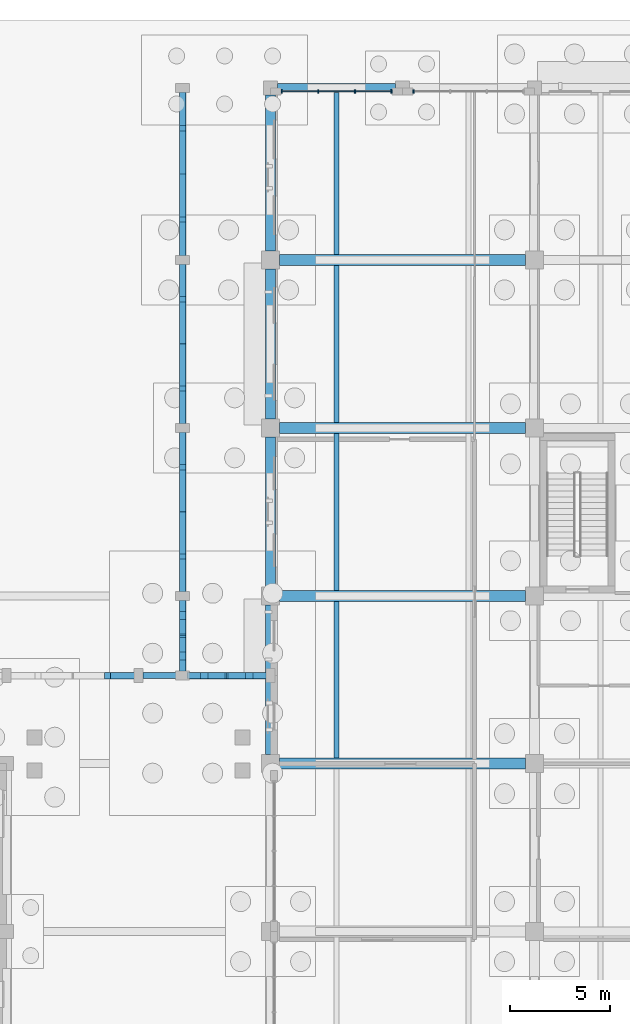
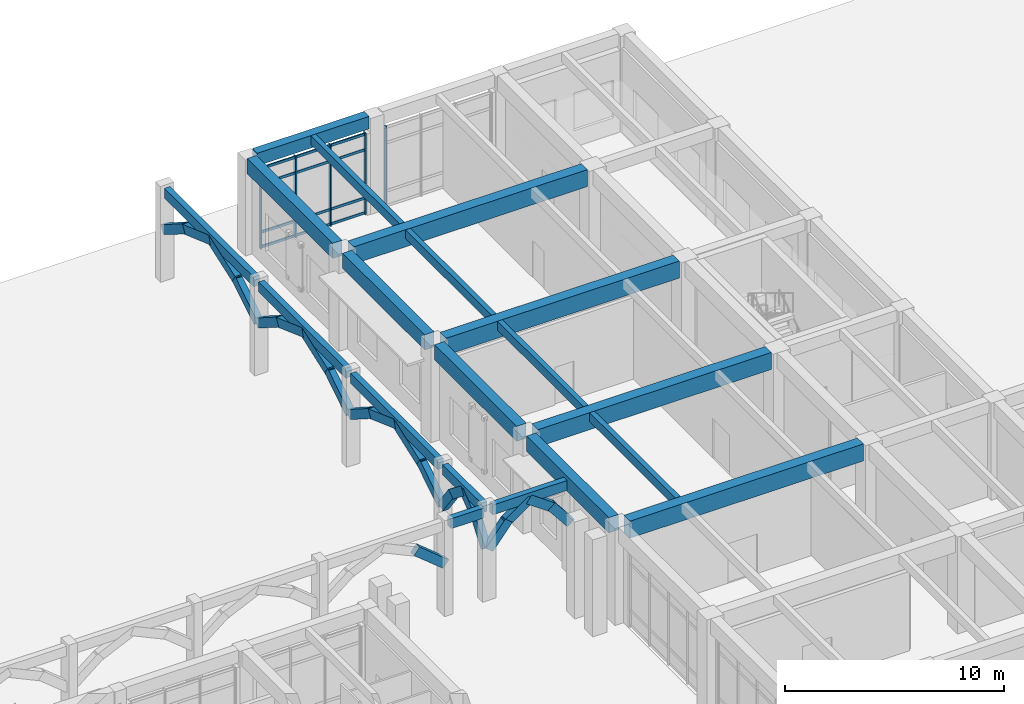
# One storey, part 34 of 82: 30 members, 19 beams, 2 elements without a shape of their own.
"""IFC4 building model written with IfcOpenShell, lengths in metres."""

from ifc_helpers import new_model, si_unit, direction, frame, origin, origin_2d, place, context, subcontext, project, spatial, rectangle, extrude, material, layer, layer_set, material_profile, profile_set, type_object, element, aggregate, save


model = new_model("IFC4")

# Units and contexts
model_context = context("Model", 3, precision=1e-05, world=origin(), true_north=direction((0.0, 1.0)))
body_context = subcontext(model_context, "Body", "Model", "MODEL_VIEW")
ifc_project = project(units=[si_unit("LENGTHUNIT", "METRE"), si_unit("AREAUNIT", "SQUARE_METRE"), si_unit("VOLUMEUNIT", "CUBIC_METRE"), si_unit("PLANEANGLEUNIT", "RADIAN"), si_unit("MASSUNIT", "GRAM", prefix="KILO")], contexts=[model_context])

# Site, building, storey
site_placement = place(None, origin())
site = spatial("IfcSite", under=ifc_project, at=site_placement, CompositionType="ELEMENT")
building_placement = place(site_placement, origin())
building = spatial("IfcBuilding", under=site, at=building_placement, Name="Kolvaren Faculty of Natural Sciences", CompositionType="ELEMENT")
storey_placement = place(building_placement, origin())
storey = spatial("IfcBuildingStorey", under=building, at=storey_placement, Name="L00", CompositionType="ELEMENT", Elevation=0.0)

# Curtain wall, members
ifc_material_1 = material(Name="Thermally broken anodised aluminium framing", Category="aluminium")
ifc_layer = layer(ifc_material_1, 0.179931640625)
ifc_layer_set = layer_set([ifc_layer], Name="Thermally broken anodised aluminium framing")
curtain_wall_type = type_object("IfcCurtainWallType", Name="CommonsCurtainWall_CW02", PredefinedType="NOTDEFINED", material=ifc_layer_set)
curtain_wall_1_placement = place(storey_placement, origin())
curtain_wall_1 = element("IfcCurtainWall", 1, at=curtain_wall_1_placement, inside=storey, type_object=curtain_wall_type, Name="L00 unitised curtain wall CW-02 (CW-L00-016)", PredefinedType="NOTDEFINED")
ifc_material_profile_1 = material_profile(ifc_material_1, rectangle(XDim=0.06005859375, YDim=0.179931640625, at=origin_2d()), Name="ALU MUL 60x180")
ifc_profile_set_1 = profile_set([ifc_material_profile_1], Name="Thermally broken anodised aluminium framing")
member_type_1 = type_object("IfcMemberType", Name="CurtainMullion_60x180", PredefinedType="MULLION", material=ifc_profile_set_1)
member_1_placement = place(storey_placement, frame((119.550048828125, 117.830078125, 0.0), z_axis=(0.0, 0.0, 1.0), x_axis=(1.0, 0.0, 0.0)))
member_1 = element("IfcMember", 2, at=member_1_placement, type_object=member_type_1, Name="CW-L00-016 vertical mullion 1", PredefinedType="MULLION", context=body_context, shape_type="SweptSolid", body=[
    extrude(rectangle(XDim=0.06005859375, YDim=0.179931640625, at=origin_2d()), origin(), (0.0, 0.0, 1.0), 4.534912109375),
])
member_2_placement = place(storey_placement, frame((121.38330078125, 117.830078125, 0.0), z_axis=(0.0, 0.0, 1.0), x_axis=(1.0, 0.0, 0.0)))
member_2 = element("IfcMember", 3, at=member_2_placement, type_object=member_type_1, Name="CW-L00-016 vertical mullion 2", PredefinedType="MULLION", context=body_context, shape_type="SweptSolid", body=[
    extrude(rectangle(XDim=0.06005859375, YDim=0.179931640625, at=origin_2d()), origin(), (0.0, 0.0, 1.0), 4.534912109375),
])
member_3_placement = place(storey_placement, frame((123.216796875, 117.830078125, 0.0), z_axis=(0.0, 0.0, 1.0), x_axis=(1.0, 0.0, 0.0)))
member_3 = element("IfcMember", 4, at=member_3_placement, type_object=member_type_1, Name="CW-L00-016 vertical mullion 3", PredefinedType="MULLION", context=body_context, shape_type="SweptSolid", body=[
    extrude(rectangle(XDim=0.06005859375, YDim=0.179931640625, at=origin_2d()), origin(), (0.0, 0.0, 1.0), 4.534912109375),
])
member_4_placement = place(storey_placement, frame((125.050048828125, 117.830078125, 0.0), z_axis=(0.0, 0.0, 1.0), x_axis=(1.0, 0.0, 0.0)))
member_4 = element("IfcMember", 5, at=member_4_placement, type_object=member_type_1, Name="CW-L00-016 vertical mullion 4", PredefinedType="MULLION", context=body_context, shape_type="SweptSolid", body=[
    extrude(rectangle(XDim=0.06005859375, YDim=0.179931640625, at=origin_2d()), origin(), (0.0, 0.0, 1.0), 4.534912109375),
])

# Curtain wall, member
curtain_wall_2_placement = place(storey_placement, origin())
curtain_wall_2 = element("IfcCurtainWall", 6, at=curtain_wall_2_placement, inside=storey, type_object=curtain_wall_type, Name="L00 unitised curtain wall CW-02 (CW-L00-017)", PredefinedType="NOTDEFINED")
member_5_placement = place(storey_placement, frame((126.14990234375, 117.830078125, 0.0), z_axis=(0.0, 0.0, 1.0), x_axis=(1.0, 0.0, 0.0)))
member_5 = element("IfcMember", 7, at=member_5_placement, type_object=member_type_1, Name="CW-L00-017 vertical mullion 1", PredefinedType="MULLION", context=body_context, shape_type="SweptSolid", body=[
    extrude(rectangle(XDim=0.06005859375, YDim=0.179931640625, at=origin_2d()), origin(), (0.0, 0.0, 1.0), 4.534912109375),
])
aggregate(curtain_wall_2, [member_5])

# Member
ifc_material_profile_2 = material_profile(ifc_material_1, rectangle(XDim=0.06005859375, YDim=0.139892578125, at=origin_2d()), Name="ALU TRN 60x140")
ifc_profile_set_2 = profile_set([ifc_material_profile_2], Name="Thermally broken anodised aluminium framing")
member_type_2 = type_object("IfcMemberType", Name="CurtainTransom_60x140", PredefinedType="USERDEFINED", material=ifc_profile_set_2)
member_6_placement = place(storey_placement, frame((119.550048828125, 117.830078125, 0.080078125), z_axis=(1.0, 0.0, 0.0), x_axis=(0.0, 1.0, 0.0)))
member_6 = element("IfcMember", 8, at=member_6_placement, type_object=member_type_2, Name="CW-L00-016 horizontal transom 1", ObjectType="TRANSOM", PredefinedType="USERDEFINED", context=body_context, shape_type="SweptSolid", body=[
    extrude(rectangle(XDim=0.06005859375, YDim=0.139892578125, at=origin_2d()), origin(), (0.0, 0.0, 1.0), 5.5),
])

member_7_placement = place(storey_placement, frame((119.550048828125, 117.830078125, 0.89990234375), z_axis=(1.0, 0.0, 0.0), x_axis=(0.0, 1.0, 0.0)))
member_7 = element("IfcMember", 9, at=member_7_placement, type_object=member_type_2, Name="CW-L00-016 horizontal transom 2", ObjectType="TRANSOM", PredefinedType="USERDEFINED", context=body_context, shape_type="SweptSolid", body=[
    extrude(rectangle(XDim=0.06005859375, YDim=0.139892578125, at=origin_2d()), origin(), (0.0, 0.0, 1.0), 5.5),
])

member_8_placement = place(storey_placement, frame((119.550048828125, 117.830078125, 3.5849609375), z_axis=(1.0, 0.0, 0.0), x_axis=(0.0, 1.0, 0.0)))
member_8 = element("IfcMember", 10, at=member_8_placement, type_object=member_type_2, Name="CW-L00-016 horizontal transom 3", ObjectType="TRANSOM", PredefinedType="USERDEFINED", context=body_context, shape_type="SweptSolid", body=[
    extrude(rectangle(XDim=0.06005859375, YDim=0.139892578125, at=origin_2d()), origin(), (0.0, 0.0, 1.0), 5.5),
])

member_9_placement = place(storey_placement, frame((119.550048828125, 117.830078125, 4.455078125), z_axis=(1.0, 0.0, 0.0), x_axis=(0.0, 1.0, 0.0)))
member_9 = element("IfcMember", 11, at=member_9_placement, type_object=member_type_2, Name="CW-L00-016 horizontal transom 4", ObjectType="TRANSOM", PredefinedType="USERDEFINED", context=body_context, shape_type="SweptSolid", body=[
    extrude(rectangle(XDim=0.06005859375, YDim=0.139892578125, at=origin_2d()), origin(), (0.0, 0.0, 1.0), 5.5),
])

aggregate(curtain_wall_1, [member_1, member_2, member_3, member_4, member_6, member_7, member_8, member_9])

# Beams
ifc_material_2 = material(Name="Concrete C40/50", Category="concrete")
ifc_material_profile_3 = material_profile(ifc_material_2, rectangle(XDim=0.550048828125, YDim=0.949951171875, at=origin_2d()), Name="RC BM 550x950")
ifc_profile_set_3 = profile_set([ifc_material_profile_3], Name="Concrete C40/50")
beam_type_1 = type_object("IfcBeamType", Name="HallGirder_550x950", PredefinedType="BEAM", material=ifc_profile_set_3)
for number, where, z_axis, x_axis, name in (
    (12, (119.449951171875, 84.199951171875, 4.925048828125), (1.0, 0.0, 0.0), (0.0, 1.0, 0.0), "L00 beam BG-95 on grid L"),
    (13, (119.449951171875, 92.60009765625, 4.925048828125), (1.0, 0.0, 0.0), (0.0, 1.0, 0.0), "L00 beam BG-95 on grid M"),
    (14, (119.449951171875, 101.0, 4.925048828125), (1.0, 0.0, 0.0), (0.0, 1.0, 0.0), "L00 beam BG-95 on grid N"),
    (15, (119.449951171875, 109.39990234375, 4.925048828125), (1.0, 0.0, 0.0), (0.0, 1.0, 0.0), "L00 beam BG-95 on grid P"),
):
    element("IfcBeam", number, at=place(storey_placement, frame(where, z_axis=z_axis, x_axis=x_axis)), inside=storey, type_object=beam_type_1, Name=name, PredefinedType="BEAM", context=body_context, shape_type="SweptSolid", body=[
        extrude(rectangle(XDim=0.550048828125, YDim=0.949951171875, at=origin_2d()), origin(), (0.0, 0.0, 1.0), 12.300048828125),
    ])
ifc_material_3 = material(Name="Concrete C35/45", Category="concrete")
ifc_material_profile_4 = material_profile(ifc_material_3, rectangle(XDim=0.260009765625, YDim=0.5, at=origin_2d()), Name="RC JST 260x500")
ifc_profile_set_4 = profile_set([ifc_material_profile_4], Name="Concrete C35/45")
beam_type_2 = type_object("IfcBeamType", Name="LabRibJoist_260x500", PredefinedType="JOIST", material=ifc_profile_set_4)
beam_1_placement = place(storey_placement, frame((122.300048828125, 84.47509765625, 5.14990234375), z_axis=(0.0, 1.0, 0.0), x_axis=(-1.0, 0.0, 0.0)))
element("IfcBeam", 16, at=beam_1_placement, inside=storey, type_object=beam_type_2, Name="L00 ribbed laboratory slab joist JS-50", PredefinedType="JOIST", context=body_context, shape_type="SweptSolid", body=[
    extrude(rectangle(XDim=0.260009765625, YDim=0.5, at=origin_2d()), origin(), (0.0, 0.0, 1.0), 7.849853515625),
])
for number, where, z_axis, x_axis, name in (
    (17, (122.300048828125, 92.875, 5.14990234375), (0.0, 1.0, 0.0), (-1.0, 0.0, 0.0), "L00 ribbed laboratory slab joist JS-50"),
    (18, (122.300048828125, 101.27490234375, 5.14990234375), (0.0, 1.0, 0.0), (-1.0, 0.0, 0.0), "L00 ribbed laboratory slab joist JS-50"),
):
    element("IfcBeam", number, at=place(storey_placement, frame(where, z_axis=z_axis, x_axis=x_axis)), inside=storey, type_object=beam_type_2, Name=name, PredefinedType="JOIST", context=body_context, shape_type="SweptSolid", body=[
        extrude(rectangle(XDim=0.260009765625, YDim=0.5, at=origin_2d()), origin(), (0.0, 0.0, 1.0), 7.85009765625),
    ])
beam_2_placement = place(storey_placement, frame((122.300048828125, 109.675048828125, 5.14990234375), z_axis=(0.0, 1.0, 0.0), x_axis=(-1.0, 0.0, 0.0)))
element("IfcBeam", 19, at=beam_2_placement, inside=storey, type_object=beam_type_2, Name="L00 ribbed laboratory slab joist JS-50", PredefinedType="JOIST", context=body_context, shape_type="SweptSolid", body=[
    extrude(rectangle(XDim=0.260009765625, YDim=0.5, at=origin_2d()), origin(), (0.0, 0.0, 1.0), 8.099853515625),
])

# Members
ifc_material_4 = material(Name="Precast concrete C35/45", Category="concrete")
ifc_material_profile_5 = material_profile(ifc_material_4, rectangle(XDim=0.320068359375, YDim=0.47998046875, at=origin_2d()), Name="RC ARCH 320x480")
ifc_profile_set_5 = profile_set([ifc_material_profile_5], Name="Precast concrete C35/45")
member_type_3 = type_object("IfcMemberType", Name="MughalPointedArchRib_320x480", PredefinedType="CHORD", material=ifc_profile_set_5)
member_10_placement = place(storey_placement, frame((110.830078125, 88.60009765625, 3.9990234375), z_axis=(0.774930281496, 0.0, -0.632046722023), x_axis=(0.0, 1.0, 0.0)))
element("IfcMember", 20, at=member_10_placement, inside=storey, type_object=member_type_3, Name="Pointed Mughal arch rib ARW-S-1058 segment 4", PredefinedType="CHORD", context=body_context, shape_type="SweptSolid", body=[
    extrude(rectangle(XDim=0.320068359375, YDim=0.47998046875, at=origin_2d()), origin(), (0.0, 0.0, 1.0), 1.97705078125),
])
member_11_placement = place(storey_placement, frame((114.64990234375, 88.60009765625, 2.73779296875), z_axis=(0.6269519024, 0.0, 0.779057964517), x_axis=(0.0, 1.0, 0.0)))
element("IfcMember", 21, at=member_11_placement, inside=storey, type_object=member_type_3, Name="Pointed Mughal arch rib ARW-S-1146 segment 1", PredefinedType="CHORD", context=body_context, shape_type="SweptSolid", body=[
    extrude(rectangle(XDim=0.320068359375, YDim=0.47998046875, at=origin_2d()), origin(), (0.0, 0.0, 1.0), 1.634033203125),
])
for number, where, z_axis, x_axis, name in (
    (22, (115.55859375, 88.60009765625, 3.902099609375), (0.81645598323, 0.0, 0.577407678723), (0.0, 1.0, 0.0), "Pointed Mughal arch rib ARW-S-1146 segment 2"),
    (23, (116.734619140625, 88.60009765625, 4.826171875), (0.81645598323, 0.0, -0.577407678723), (0.0, 1.0, 0.0), "Pointed Mughal arch rib ARW-S-1146 segment 3"),
):
    element("IfcMember", number, at=place(storey_placement, frame(where, z_axis=z_axis, x_axis=x_axis)), inside=storey, type_object=member_type_3, Name=name, PredefinedType="CHORD", context=body_context, shape_type="SweptSolid", body=[
        extrude(rectangle(XDim=0.320068359375, YDim=0.47998046875, at=origin_2d()), origin(), (0.0, 0.0, 1.0), 1.600341796875),
    ])
member_12_placement = place(storey_placement, frame((117.92578125, 88.60009765625, 4.0107421875), z_axis=(0.6269519024, 0.0, -0.779057964517), x_axis=(0.0, 1.0, 0.0)))
element("IfcMember", 24, at=member_12_placement, inside=storey, type_object=member_type_3, Name="Pointed Mughal arch rib ARW-S-1146 segment 4", PredefinedType="CHORD", context=body_context, shape_type="SweptSolid", body=[
    extrude(rectangle(XDim=0.320068359375, YDim=0.47998046875, at=origin_2d()), origin(), (0.0, 0.0, 1.0), 1.634033203125),
])
member_13_placement = place(storey_placement, frame((114.60009765625, 88.65283203125, 2.7353515625), z_axis=(0.0, 0.588520655651, 0.808482181543), x_axis=(-1.0, 0.0, 0.0)))
element("IfcMember", 25, at=member_13_placement, inside=storey, type_object=member_type_3, Name="Pointed Mughal arch rib ARW-E-88 segment 1", PredefinedType="CHORD", context=body_context, shape_type="SweptSolid", body=[
    extrude(rectangle(XDim=0.320068359375, YDim=0.47998046875, at=origin_2d()), origin(), (0.0, 0.0, 1.0), 1.58056640625),
])
member_14_placement = place(storey_placement, frame((114.60009765625, 89.472900390625, 3.899169921875), z_axis=(0.0, 0.787914096483, 0.615785170789), x_axis=(-1.0, 0.0, 0.0)))
element("IfcMember", 26, at=member_14_placement, inside=storey, type_object=member_type_3, Name="Pointed Mughal arch rib ARW-E-88 segment 2", PredefinedType="CHORD", context=body_context, shape_type="SweptSolid", body=[
    extrude(rectangle(XDim=0.320068359375, YDim=0.47998046875, at=origin_2d()), origin(), (0.0, 0.0, 1.0), 1.510498046875),
])
member_15_placement = place(storey_placement, frame((114.60009765625, 90.537109375, 4.829345703125), z_axis=(0.0, 0.787852798573, -0.615863595109), x_axis=(-1.0, 0.0, 0.0)))
element("IfcMember", 27, at=member_15_placement, inside=storey, type_object=member_type_3, Name="Pointed Mughal arch rib ARW-E-88 segment 3", PredefinedType="CHORD", context=body_context, shape_type="SweptSolid", body=[
    extrude(rectangle(XDim=0.320068359375, YDim=0.47998046875, at=origin_2d()), origin(), (0.0, 0.0, 1.0), 1.51025390625),
])
member_16_placement = place(storey_placement, frame((114.60009765625, 91.616943359375, 4.01318359375), z_axis=(0.0, 0.588520655651, -0.808482181543), x_axis=(-1.0, 0.0, 0.0)))
element("IfcMember", 28, at=member_16_placement, inside=storey, type_object=member_type_3, Name="Pointed Mughal arch rib ARW-E-88 segment 4", PredefinedType="CHORD", context=body_context, shape_type="SweptSolid", body=[
    extrude(rectangle(XDim=0.320068359375, YDim=0.47998046875, at=origin_2d()), origin(), (0.0, 0.0, 1.0), 1.58056640625),
])
member_17_placement = place(storey_placement, frame((114.60009765625, 92.632568359375, 2.757080078125), z_axis=(0.0, 0.843565255236, 0.537026684774), x_axis=(-1.0, 0.0, 0.0)))
element("IfcMember", 29, at=member_17_placement, inside=storey, type_object=member_type_3, Name="Pointed Mughal arch rib ARW-E-92 segment 1", PredefinedType="CHORD", context=body_context, shape_type="SweptSolid", body=[
    extrude(rectangle(XDim=0.320068359375, YDim=0.47998046875, at=origin_2d()), origin(), (0.0, 0.0, 1.0), 2.298583984375),
])
member_18_placement = place(storey_placement, frame((114.60009765625, 94.4287109375, 3.921142578125), z_axis=(0.0, 0.940244616745, 0.340499722), x_axis=(-1.0, 0.0, 0.0)))
element("IfcMember", 30, at=member_18_placement, inside=storey, type_object=member_type_3, Name="Pointed Mughal arch rib ARW-E-92 segment 2", PredefinedType="CHORD", context=body_context, shape_type="SweptSolid", body=[
    extrude(rectangle(XDim=0.320068359375, YDim=0.47998046875, at=origin_2d()), origin(), (0.0, 0.0, 1.0), 2.60205078125),
])
member_19_placement = place(storey_placement, frame((114.60009765625, 96.724853515625, 4.80712890625), z_axis=(0.0, 0.940233736948, -0.340529763611), x_axis=(-1.0, 0.0, 0.0)))
element("IfcMember", 31, at=member_19_placement, inside=storey, type_object=member_type_3, Name="Pointed Mughal arch rib ARW-E-92 segment 3", PredefinedType="CHORD", context=body_context, shape_type="SweptSolid", body=[
    extrude(rectangle(XDim=0.320068359375, YDim=0.47998046875, at=origin_2d()), origin(), (0.0, 0.0, 1.0), 2.601806640625),
])
for number, where, z_axis, x_axis, name in (
    (32, (114.60009765625, 99.028564453125, 3.991455078125), (0.0, 0.843565255236, -0.537026684774), (-1.0, 0.0, 0.0), "Pointed Mughal arch rib ARW-E-92 segment 4"),
    (33, (114.60009765625, 101.032470703125, 2.757080078125), (0.0, 0.843565255236, 0.537026684774), (-1.0, 0.0, 0.0), "Pointed Mughal arch rib ARW-E-101 segment 1"),
):
    element("IfcMember", number, at=place(storey_placement, frame(where, z_axis=z_axis, x_axis=x_axis)), inside=storey, type_object=member_type_3, Name=name, PredefinedType="CHORD", context=body_context, shape_type="SweptSolid", body=[
        extrude(rectangle(XDim=0.320068359375, YDim=0.47998046875, at=origin_2d()), origin(), (0.0, 0.0, 1.0), 2.298583984375),
    ])
member_20_placement = place(storey_placement, frame((114.60009765625, 102.828857421875, 3.921142578125), z_axis=(0.0, 0.940233736948, 0.340529763611), x_axis=(-1.0, 0.0, 0.0)))
element("IfcMember", 34, at=member_20_placement, inside=storey, type_object=member_type_3, Name="Pointed Mughal arch rib ARW-E-101 segment 2", PredefinedType="CHORD", context=body_context, shape_type="SweptSolid", body=[
    extrude(rectangle(XDim=0.320068359375, YDim=0.47998046875, at=origin_2d()), origin(), (0.0, 0.0, 1.0), 2.601806640625),
])
member_21_placement = place(storey_placement, frame((114.60009765625, 105.124755859375, 4.80712890625), z_axis=(0.0, 0.940244616745, -0.340499722), x_axis=(-1.0, 0.0, 0.0)))
element("IfcMember", 35, at=member_21_placement, inside=storey, type_object=member_type_3, Name="Pointed Mughal arch rib ARW-E-101 segment 3", PredefinedType="CHORD", context=body_context, shape_type="SweptSolid", body=[
    extrude(rectangle(XDim=0.320068359375, YDim=0.47998046875, at=origin_2d()), origin(), (0.0, 0.0, 1.0), 2.60205078125),
])
member_22_placement = place(storey_placement, frame((114.60009765625, 107.428466796875, 3.991455078125), z_axis=(0.0, 0.843565255236, -0.537026684774), x_axis=(-1.0, 0.0, 0.0)))
element("IfcMember", 36, at=member_22_placement, inside=storey, type_object=member_type_3, Name="Pointed Mughal arch rib ARW-E-101 segment 4", PredefinedType="CHORD", context=body_context, shape_type="SweptSolid", body=[
    extrude(rectangle(XDim=0.320068359375, YDim=0.47998046875, at=origin_2d()), origin(), (0.0, 0.0, 1.0), 2.298583984375),
])
member_23_placement = place(storey_placement, frame((114.60009765625, 109.43212890625, 2.7578125), z_axis=(0.0, 0.849392974575, 0.527760906797), x_axis=(-1.0, 0.0, 0.0)))
element("IfcMember", 37, at=member_23_placement, inside=storey, type_object=member_type_3, Name="Pointed Mughal arch rib ARW-E-109 segment 1", PredefinedType="CHORD", context=body_context, shape_type="SweptSolid", body=[
    extrude(rectangle(XDim=0.320068359375, YDim=0.47998046875, at=origin_2d()), origin(), (0.0, 0.0, 1.0), 2.335693359375),
])
member_24_placement = place(storey_placement, frame((114.60009765625, 111.272705078125, 3.921630859375), z_axis=(0.0, 0.942788108014, 0.333392536489), x_axis=(-1.0, 0.0, 0.0)))
element("IfcMember", 38, at=member_24_placement, inside=storey, type_object=member_type_3, Name="Pointed Mughal arch rib ARW-E-109 segment 2", PredefinedType="CHORD", context=body_context, shape_type="SweptSolid", body=[
    extrude(rectangle(XDim=0.320068359375, YDim=0.47998046875, at=origin_2d()), origin(), (0.0, 0.0, 1.0), 2.654541015625),
])
member_25_placement = place(storey_placement, frame((114.60009765625, 113.62451171875, 4.806640625), z_axis=(0.0, 0.942798329243, -0.333363630853), x_axis=(-1.0, 0.0, 0.0)))
element("IfcMember", 39, at=member_25_placement, inside=storey, type_object=member_type_3, Name="Pointed Mughal arch rib ARW-E-109 segment 3", PredefinedType="CHORD", context=body_context, shape_type="SweptSolid", body=[
    extrude(rectangle(XDim=0.320068359375, YDim=0.47998046875, at=origin_2d()), origin(), (0.0, 0.0, 1.0), 2.65478515625),
])
member_26_placement = place(storey_placement, frame((114.60009765625, 115.984130859375, 3.990478515625), z_axis=(0.0, 0.849392974575, -0.527760906797), x_axis=(-1.0, 0.0, 0.0)))
element("IfcMember", 40, at=member_26_placement, inside=storey, type_object=member_type_3, Name="Pointed Mughal arch rib ARW-E-109 segment 4", PredefinedType="CHORD", context=body_context, shape_type="SweptSolid", body=[
    extrude(rectangle(XDim=0.320068359375, YDim=0.47998046875, at=origin_2d()), origin(), (0.0, 0.0, 1.0), 2.335693359375),
])

# Beams
ifc_material_profile_6 = material_profile(ifc_material_3, rectangle(XDim=0.300048828125, YDim=0.550048828125, at=origin_2d()), Name="RC SP 300x550")
ifc_profile_set_6 = profile_set([ifc_material_profile_6], Name="Concrete C35/45")
beam_type_3 = type_object("IfcBeamType", Name="PerimeterSpandrel_300x550", PredefinedType="SPANDREL", material=ifc_profile_set_6)
beam_3_placement = place(storey_placement, frame((112.625, 88.60009765625, 4.89501953125), z_axis=(1.0, 0.0, 0.0), x_axis=(0.0, 1.0, 0.0)))
element("IfcBeam", 41, at=beam_3_placement, inside=storey, type_object=beam_type_3, Name="North square riwaq arcade arch-spandrel beam", PredefinedType="SPANDREL", context=body_context, shape_type="SweptSolid", body=[
    extrude(rectangle(XDim=0.300048828125, YDim=0.550048828125, at=origin_2d()), origin(), (0.0, 0.0, 1.0), 1.75),
])
beam_4_placement = place(storey_placement, frame((114.824951171875, 88.60009765625, 4.89501953125), z_axis=(1.0, 0.0, 0.0), x_axis=(0.0, 1.0, 0.0)))
element("IfcBeam", 42, at=beam_4_placement, inside=storey, type_object=beam_type_3, Name="North square riwaq arcade arch-spandrel beam", PredefinedType="SPANDREL", context=body_context, shape_type="SweptSolid", body=[
    extrude(rectangle(XDim=0.300048828125, YDim=0.550048828125, at=origin_2d()), origin(), (0.0, 0.0, 1.0), 3.949951171875),
])
beam_5_placement = place(storey_placement, frame((114.60009765625, 88.824951171875, 4.89501953125), z_axis=(0.0, 1.0, 0.0), x_axis=(-1.0, 0.0, 0.0)))
element("IfcBeam", 43, at=beam_5_placement, inside=storey, type_object=beam_type_3, Name="North square riwaq arcade arch-spandrel beam", PredefinedType="SPANDREL", context=body_context, shape_type="SweptSolid", body=[
    extrude(rectangle(XDim=0.300048828125, YDim=0.550048828125, at=origin_2d()), origin(), (0.0, 0.0, 1.0), 3.550048828125),
])
for number, where, z_axis, x_axis, name in (
    (44, (114.60009765625, 92.824951171875, 4.89501953125), (0.0, 1.0, 0.0), (-1.0, 0.0, 0.0), "North square riwaq arcade arch-spandrel beam"),
    (45, (114.60009765625, 101.22509765625, 4.89501953125), (0.0, 1.0, 0.0), (-1.0, 0.0, 0.0), "North square riwaq arcade arch-spandrel beam"),
):
    element("IfcBeam", number, at=place(storey_placement, frame(where, z_axis=z_axis, x_axis=x_axis)), inside=storey, type_object=beam_type_3, Name=name, PredefinedType="SPANDREL", context=body_context, shape_type="SweptSolid", body=[
        extrude(rectangle(XDim=0.300048828125, YDim=0.550048828125, at=origin_2d()), origin(), (0.0, 0.0, 1.0), 7.949951171875),
    ])
beam_6_placement = place(storey_placement, frame((114.60009765625, 109.625, 4.89501953125), z_axis=(0.0, 1.0, 0.0), x_axis=(-1.0, 0.0, 0.0)))
element("IfcBeam", 46, at=beam_6_placement, inside=storey, type_object=beam_type_3, Name="North square riwaq arcade arch-spandrel beam", PredefinedType="SPANDREL", context=body_context, shape_type="SweptSolid", body=[
    extrude(rectangle(XDim=0.300048828125, YDim=0.550048828125, at=origin_2d()), origin(), (0.0, 0.0, 1.0), 8.14990234375),
])
ifc_material_profile_7 = material_profile(ifc_material_3, rectangle(XDim=0.449951171875, YDim=0.699951171875, at=origin_2d()), Name="RC SP 450x700")
ifc_profile_set_7 = profile_set([ifc_material_profile_7], Name="Concrete C35/45")
beam_type_4 = type_object("IfcBeamType", Name="PerimeterSpandrel_450x700", PredefinedType="SPANDREL", material=ifc_profile_set_7)
beam_7_placement = place(storey_placement, frame((119.35009765625, 118.0, 5.050048828125), z_axis=(1.0, 0.0, 0.0), x_axis=(0.0, 1.0, 0.0)))
element("IfcBeam", 47, at=beam_7_placement, inside=storey, type_object=beam_type_4, Name="L00 spandrel SP-70 on grid Q", PredefinedType="SPANDREL", context=body_context, shape_type="SweptSolid", body=[
    extrude(rectangle(XDim=0.449951171875, YDim=0.699951171875, at=origin_2d()), origin(), (0.0, 0.0, 1.0), 5.89990234375),
])
ifc_material_profile_8 = material_profile(ifc_material_3, rectangle(XDim=0.5, YDim=0.85009765625, at=origin_2d()), Name="RC BM 500x850")
ifc_profile_set_8 = profile_set([ifc_material_profile_8], Name="Concrete C35/45")
beam_type_5 = type_object("IfcBeamType", Name="PrimaryGirder_500x850", PredefinedType="BEAM", material=ifc_profile_set_8)
for number, where, z_axis, x_axis, name in (
    (48, (119.0, 84.64990234375, 4.97509765625), (0.0, 1.0, 0.0), (-1.0, 0.0, 0.0), "L00 girder BG-85 on grid 19"),
    (49, (119.0, 93.050048828125, 4.97509765625), (0.0, 1.0, 0.0), (-1.0, 0.0, 0.0), "L00 girder BG-85 on grid 19"),
    (50, (119.0, 101.449951171875, 4.97509765625), (0.0, 1.0, 0.0), (-1.0, 0.0, 0.0), "L00 girder BG-85 on grid 19"),
):
    element("IfcBeam", number, at=place(storey_placement, frame(where, z_axis=z_axis, x_axis=x_axis)), inside=storey, type_object=beam_type_5, Name=name, PredefinedType="BEAM", context=body_context, shape_type="SweptSolid", body=[
        extrude(rectangle(XDim=0.5, YDim=0.85009765625, at=origin_2d()), origin(), (0.0, 0.0, 1.0), 7.5),
    ])
beam_8_placement = place(storey_placement, frame((119.0, 109.85009765625, 4.97509765625), z_axis=(0.0, 1.0, 0.0), x_axis=(-1.0, 0.0, 0.0)))
element("IfcBeam", 51, at=beam_8_placement, inside=storey, type_object=beam_type_5, Name="L00 girder BG-85 on grid 19", PredefinedType="BEAM", context=body_context, shape_type="SweptSolid", body=[
    extrude(rectangle(XDim=0.5, YDim=0.85009765625, at=origin_2d()), origin(), (0.0, 0.0, 1.0), 7.7998046875),
])

save(model, "model.ifc")
